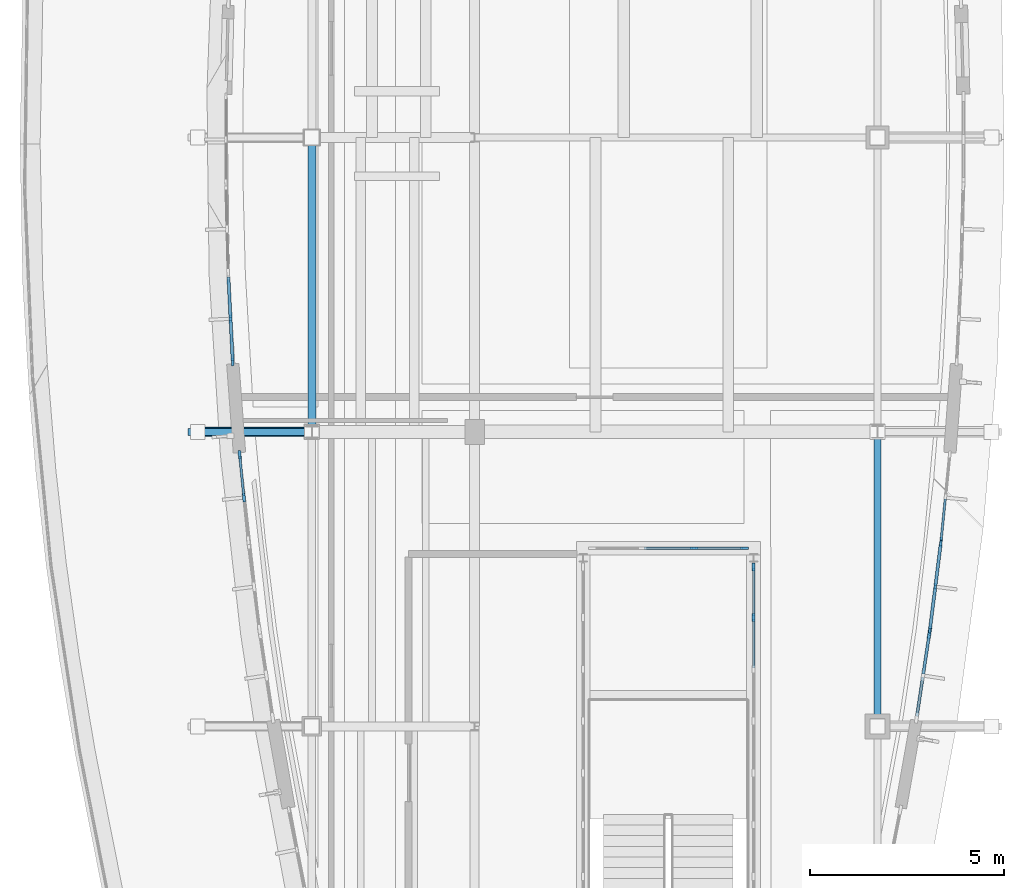
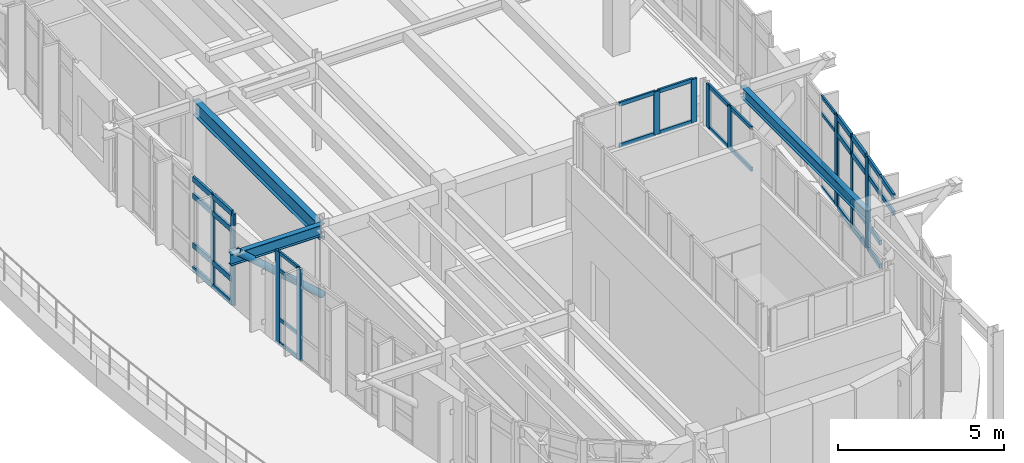
# One storey, part 6 of 20: 52 members, 3 beams, 7 elements without a shape of their own.
"""IFC4 building model written with IfcOpenShell, lengths in metres."""

from ifc_helpers import new_model, si_unit, direction, frame, origin, origin_2d, place, context, subcontext, project, spatial, rectangle, hollow_circle, i_section, extrude, material, material_profile, profile_set, type_object, element, aggregate, save


model = new_model("IFC4")

# Units and contexts
model_context = context("Model", 3, precision=1e-05, world=origin(), true_north=direction((0.0, 1.0)))
body_context = subcontext(model_context, "Body", "Model", "MODEL_VIEW")
ifc_project = project(units=[si_unit("LENGTHUNIT", "METRE"), si_unit("AREAUNIT", "SQUARE_METRE"), si_unit("VOLUMEUNIT", "CUBIC_METRE"), si_unit("PLANEANGLEUNIT", "RADIAN"), si_unit("MASSUNIT", "GRAM", prefix="KILO")], contexts=[model_context])

# Site, building, storey
site_placement = place(None, origin())
site = spatial("IfcSite", under=ifc_project, at=site_placement, CompositionType="ELEMENT")
building_placement = place(site_placement, origin())
building = spatial("IfcBuilding", under=site, at=building_placement, Name="Corveleigh Park Community Centre", CompositionType="ELEMENT")
storey_placement = place(building_placement, frame((0.0, 0.0, 19.800048828125)))
storey = spatial("IfcBuildingStorey", under=building, at=storey_placement, Name="L05", CompositionType="ELEMENT", Elevation=19.800048828125)

# Beams
ifc_material_1 = material(Name="Steel S355", Category="steel")
ifc_material_profile_1 = material_profile(ifc_material_1, i_section(OverallWidth=0.1787109375, OverallDepth=0.409423828125, WebThickness=0.0087890625, FlangeThickness=0.014404296875, at=origin_2d()), Name="UKB 406x178x67", Category="steel")
ifc_profile_set_1 = profile_set([ifc_material_profile_1], Name="Steel S355")
beam_type_1 = type_object("IfcBeamType", Name="BM-STL-UKB406x67", PredefinedType="BEAM", material=ifc_profile_set_1)
beam_1_placement = place(storey_placement, frame((168.39990234375, 66.205078125, 3.107177734375), z_axis=(0.0, 1.0, 0.0), x_axis=(-1.0, 0.0, 0.0)))
element("IfcBeam", 1, at=beam_1_placement, inside=storey, type_object=beam_type_1, Name="V4 Girder Y", PredefinedType="BEAM", context=body_context, shape_type="SweptSolid", body=[
    extrude(i_section(OverallWidth=0.1787109375, OverallDepth=0.409423828125, WebThickness=0.0087890625, FlangeThickness=0.014404296875, at=origin_2d()), origin(), (0.0, 0.0, 1.0), 7.58984375),
])
beam_2_placement = place(storey_placement, frame((153.7900390625, 73.800048828125, 3.1591796875), z_axis=(-1.0, 0.0, 0.0), x_axis=(0.0, -1.0, 0.0)))
element("IfcBeam", 2, at=beam_2_placement, inside=storey, type_object=beam_type_1, Name="V4 Crown Overhang Strut X5Y2 Outrigger", PredefinedType="BEAM", context=body_context, shape_type="SweptSolid", body=[
    extrude(i_section(OverallWidth=0.1787109375, OverallDepth=0.409423828125, WebThickness=0.0087890625, FlangeThickness=0.014404296875, at=origin_2d()), origin(), (0.0, 0.0, 1.0), 3.18994140625),
])
ifc_material_profile_2 = material_profile(ifc_material_1, i_section(OverallWidth=0.209228515625, OverallDepth=0.533203125, WebThickness=0.010009765625, FlangeThickness=0.015625, at=origin_2d()), Name="UKB 533x210x92", Category="steel")
ifc_profile_set_2 = profile_set([ifc_material_profile_2], Name="Steel S355")
beam_type_2 = type_object("IfcBeamType", Name="BM-STL-UKB533x92", PredefinedType="BEAM", material=ifc_profile_set_2)
beam_3_placement = place(storey_placement, frame((153.800048828125, 73.804931640625, 3.04541015625), z_axis=(0.0, 1.0, 0.0), x_axis=(-1.0, 0.0, 0.0)))
element("IfcBeam", 3, at=beam_3_placement, inside=storey, type_object=beam_type_2, Name="V4 Girder Y", PredefinedType="BEAM", context=body_context, shape_type="SweptSolid", body=[
    extrude(i_section(OverallWidth=0.209228515625, OverallDepth=0.533203125, WebThickness=0.010009765625, FlangeThickness=0.015625, at=origin_2d()), origin(), (0.0, 0.0, 1.0), 7.590087890625),
])

# Curtain wall, members
ifc_material_2 = material(Name="Anodised aluminium 6063-T6", Category="aluminium")
curtain_wall_type = type_object("IfcCurtainWallType", Name="CW-SYS-V4-L03", PredefinedType="NOTDEFINED", material=ifc_material_2)
curtain_wall_1_placement = place(storey_placement, origin())
curtain_wall_1 = element("IfcCurtainWall", 4, at=curtain_wall_1_placement, inside=storey, type_object=curtain_wall_type, Name="V4 L05 Curtain Wall 475", PredefinedType="NOTDEFINED")
ifc_material_profile_3 = material_profile(ifc_material_2, rectangle(XDim=0.06005859375, YDim=0.159912109375, at=origin_2d()), Name="ALU-M60x160", Category="aluminium")
ifc_profile_set_3 = profile_set([ifc_material_profile_3], Name="Anodised aluminium 6063-T6")
member_type_1 = type_object("IfcMemberType", Name="CWM-60x160", PredefinedType="MULLION", material=ifc_profile_set_3)
member_1_placement = place(storey_placement, frame((170.0322265625, 70.915283203125, 0.0), z_axis=(0.0, 0.0, 1.0), x_axis=(0.992170389776, -0.124891623628, 0.0)))
member_1 = element("IfcMember", 5, at=member_1_placement, type_object=member_type_1, Name="CW09 mullion 1", PredefinedType="MULLION", context=body_context, shape_type="SweptSolid", body=[
    extrude(rectangle(XDim=0.06005859375, YDim=0.159912109375, at=origin_2d()), origin(), (0.0, 0.0, 1.0), 3.364013671875),
])
member_2_placement = place(storey_placement, frame((169.892578125, 69.804931640625, 0.0), z_axis=(0.0, 0.0, 1.0), x_axis=(0.992170389776, -0.124891623628, 0.0)))
member_2 = element("IfcMember", 6, at=member_2_placement, type_object=member_type_1, Name="CW09 mullion 2", PredefinedType="MULLION", context=body_context, shape_type="SweptSolid", body=[
    extrude(rectangle(XDim=0.06005859375, YDim=0.159912109375, at=origin_2d()), origin(), (0.0, 0.0, 1.0), 3.364013671875),
])
member_3_placement = place(storey_placement, frame((169.752685546875, 68.69482421875, 0.0), z_axis=(0.0, 0.0, 1.0), x_axis=(0.992170389776, -0.124891623628, 0.0)))
member_3 = element("IfcMember", 7, at=member_3_placement, type_object=member_type_1, Name="CW09 mullion 3", PredefinedType="MULLION", context=body_context, shape_type="SweptSolid", body=[
    extrude(rectangle(XDim=0.06005859375, YDim=0.159912109375, at=origin_2d()), origin(), (0.0, 0.0, 1.0), 3.364013671875),
])

# Curtain wall, member
curtain_wall_2_placement = place(storey_placement, origin())
curtain_wall_2 = element("IfcCurtainWall", 8, at=curtain_wall_2_placement, inside=storey, type_object=curtain_wall_type, Name="V4 L05 Curtain Wall 476", PredefinedType="NOTDEFINED")
ifc_material_profile_4 = material_profile(ifc_material_2, rectangle(XDim=0.06494140625, YDim=0.179931640625, at=origin_2d()), Name="ALU-M65x180", Category="aluminium")
ifc_profile_set_4 = profile_set([ifc_material_profile_4], Name="Anodised aluminium 6063-T6")
member_type_2 = type_object("IfcMemberType", Name="CWM-65x180", PredefinedType="MULLION", material=ifc_profile_set_4)
member_4_placement = place(storey_placement, frame((170.041259765625, 70.995361328125, 0.0), z_axis=(0.0, 0.0, 1.0), x_axis=(0.995015609659, -0.099719288676, 0.0)))
member_4 = element("IfcMember", 9, at=member_4_placement, type_object=member_type_2, Name="CW09 mullion 3", PredefinedType="MULLION", context=body_context, shape_type="SweptSolid", body=[
    extrude(rectangle(XDim=0.06494140625, YDim=0.179931640625, at=origin_2d()), origin(), (0.0, 0.0, 1.0), 3.364013671875),
])

# Curtain wall, members
curtain_wall_3_placement = place(storey_placement, origin())
curtain_wall_3 = element("IfcCurtainWall", 10, at=curtain_wall_3_placement, inside=storey, type_object=curtain_wall_type, Name="V4 L05 Curtain Wall 495", PredefinedType="NOTDEFINED")
ifc_material_profile_5 = material_profile(ifc_material_2, rectangle(XDim=0.070068359375, YDim=0.199951171875, at=origin_2d()), Name="ALU-M70x200", Category="aluminium")
ifc_profile_set_5 = profile_set([ifc_material_profile_5], Name="Anodised aluminium 6063-T6")
member_type_3 = type_object("IfcMemberType", Name="CWM-70x200", PredefinedType="MULLION", material=ifc_profile_set_5)
member_5_placement = place(storey_placement, frame((151.75732421875, 75.60888671875, 0.0), z_axis=(0.0, 0.0, 1.0), x_axis=(-0.998725060912, -0.050480220936, 0.0)))
member_5 = element("IfcMember", 11, at=member_5_placement, type_object=member_type_3, Name="CW09 mullion 1", PredefinedType="MULLION", context=body_context, shape_type="SweptSolid", body=[
    extrude(rectangle(XDim=0.070068359375, YDim=0.199951171875, at=origin_2d()), origin(), (0.0, 0.0, 1.0), 3.364013671875),
])
member_6_placement = place(storey_placement, frame((151.700927734375, 76.721435546875, 0.0), z_axis=(0.0, 0.0, 1.0), x_axis=(-0.998725060912, -0.050480220936, 0.0)))
member_6 = element("IfcMember", 12, at=member_6_placement, type_object=member_type_3, Name="CW09 mullion 2", PredefinedType="MULLION", context=body_context, shape_type="SweptSolid", body=[
    extrude(rectangle(XDim=0.070068359375, YDim=0.199951171875, at=origin_2d()), origin(), (0.0, 0.0, 1.0), 3.364013671875),
])

curtain_wall_4_placement = place(storey_placement, origin())
curtain_wall_4 = element("IfcCurtainWall", 13, at=curtain_wall_4_placement, inside=storey, type_object=curtain_wall_type, Name="Crown Lantern N Clerestory", PredefinedType="NOTDEFINED")
member_7_placement = place(storey_placement, frame((164.965087890625, 70.800048828125, 5.0), z_axis=(0.0, 0.0, 1.0), x_axis=(0.0, -1.0, 0.0)))
member_7 = element("IfcMember", 14, at=member_7_placement, type_object=member_type_3, Name="CW09 mullion 1", PredefinedType="MULLION", context=body_context, shape_type="SweptSolid", body=[
    extrude(rectangle(XDim=0.070068359375, YDim=0.199951171875, at=origin_2d()), origin(), (0.0, 0.0, 1.0), 1.579833984375),
])
member_8_placement = place(storey_placement, frame((163.666748046875, 70.800048828125, 5.0), z_axis=(0.0, 0.0, 1.0), x_axis=(0.0, -1.0, 0.0)))
member_8 = element("IfcMember", 15, at=member_8_placement, type_object=member_type_3, Name="CW09 mullion 2", PredefinedType="MULLION", context=body_context, shape_type="SweptSolid", body=[
    extrude(rectangle(XDim=0.070068359375, YDim=0.199951171875, at=origin_2d()), origin(), (0.0, 0.0, 1.0), 1.579833984375),
])

curtain_wall_5_placement = place(storey_placement, origin())
curtain_wall_5 = element("IfcCurtainWall", 16, at=curtain_wall_5_placement, inside=storey, type_object=curtain_wall_type, Name="Crown Lantern E Clerestory", PredefinedType="NOTDEFINED")
member_9_placement = place(storey_placement, frame((165.199951171875, 69.012451171875, 5.0), z_axis=(0.0, 0.0, 1.0), x_axis=(-1.0, 0.0, 0.0)))
member_9 = element("IfcMember", 17, at=member_9_placement, type_object=member_type_3, Name="CW09 mullion 8", PredefinedType="MULLION", context=body_context, shape_type="SweptSolid", body=[
    extrude(rectangle(XDim=0.070068359375, YDim=0.199951171875, at=origin_2d()), origin(), (0.0, 0.0, 1.0), 1.579833984375),
])
member_10_placement = place(storey_placement, frame((165.199951171875, 70.31494140625, 5.0), z_axis=(0.0, 0.0, 1.0), x_axis=(-1.0, 0.0, 0.0)))
member_10 = element("IfcMember", 18, at=member_10_placement, type_object=member_type_3, Name="CW09 mullion 9", PredefinedType="MULLION", context=body_context, shape_type="SweptSolid", body=[
    extrude(rectangle(XDim=0.070068359375, YDim=0.199951171875, at=origin_2d()), origin(), (0.0, 0.0, 1.0), 1.579833984375),
])

curtain_wall_6_placement = place(storey_placement, origin())
curtain_wall_6 = element("IfcCurtainWall", 19, at=curtain_wall_6_placement, inside=storey, type_object=curtain_wall_type, Name="V4 L05 Curtain Wall 496", PredefinedType="NOTDEFINED")
ifc_material_profile_6 = material_profile(ifc_material_2, rectangle(XDim=0.074951171875, YDim=0.219970703125, at=origin_2d()), Name="ALU-M75x220", Category="aluminium")
ifc_profile_set_6 = profile_set([ifc_material_profile_6], Name="Anodised aluminium 6063-T6")
member_type_4 = type_object("IfcMemberType", Name="CWM-75x220", PredefinedType="MULLION", material=ifc_profile_set_6)
member_11_placement = place(storey_placement, frame((152.047607421875, 72.10546875, 0.0), z_axis=(0.0, 0.0, 1.0), x_axis=(-0.995015609659, -0.099719288676, 0.0)))
member_11 = element("IfcMember", 20, at=member_11_placement, type_object=member_type_4, Name="CW09 mullion 2", PredefinedType="MULLION", context=body_context, shape_type="SweptSolid", body=[
    extrude(rectangle(XDim=0.074951171875, YDim=0.219970703125, at=origin_2d()), origin(), (0.0, 0.0, 1.0), 3.364013671875),
])
member_12_placement = place(storey_placement, frame((151.936767578125, 73.210693359375, 0.0), z_axis=(0.0, 0.0, 1.0), x_axis=(-0.995015609659, -0.099719288676, 0.0)))
member_12 = element("IfcMember", 21, at=member_12_placement, type_object=member_type_4, Name="CW09 mullion 3", PredefinedType="MULLION", context=body_context, shape_type="SweptSolid", body=[
    extrude(rectangle(XDim=0.074951171875, YDim=0.219970703125, at=origin_2d()), origin(), (0.0, 0.0, 1.0), 3.364013671875),
])

# Curtain wall, member
curtain_wall_7_placement = place(storey_placement, origin())
curtain_wall_7 = element("IfcCurtainWall", 22, at=curtain_wall_7_placement, inside=storey, type_object=curtain_wall_type, Name="V4 L05 Curtain Wall 474", PredefinedType="NOTDEFINED")
ifc_material_profile_7 = material_profile(ifc_material_2, rectangle(XDim=0.0849609375, YDim=0.27490234375, at=origin_2d()), Name="ALU-M85x275", Category="aluminium")
ifc_profile_set_7 = profile_set([ifc_material_profile_7], Name="Anodised aluminium 6063-T6")
member_type_5 = type_object("IfcMemberType", Name="CWM-85x275", PredefinedType="MULLION", material=ifc_profile_set_7)
member_13_placement = place(storey_placement, frame((169.74072265625, 68.60693359375, 0.0), z_axis=(0.0, 0.0, 1.0), x_axis=(0.988795450812, -0.149276778011, 0.0)))
member_13 = element("IfcMember", 23, at=member_13_placement, type_object=member_type_5, Name="CW09 mullion 1", PredefinedType="MULLION", context=body_context, shape_type="SweptSolid", body=[
    extrude(rectangle(XDim=0.0849609375, YDim=0.27490234375, at=origin_2d()), origin(), (0.0, 0.0, 1.0), 3.364013671875),
])

# Member
ifc_material_profile_8 = material_profile(ifc_material_2, rectangle(XDim=0.06005859375, YDim=0.1201171875, at=origin_2d()), Name="ALU-T60x120", Category="aluminium")
ifc_profile_set_8 = profile_set([ifc_material_profile_8], Name="Anodised aluminium 6063-T6")
member_type_6 = type_object("IfcMemberType", Name="CWT-60x120", PredefinedType="USERDEFINED", material=ifc_profile_set_8)
member_14_placement = place(storey_placement, frame((170.149169921875, 72.0732421875, 0.030029296875), z_axis=(-0.099664730692, -0.995021075885, 0.0), x_axis=(0.995021075885, -0.099664730692, 0.0)))
member_14 = element("IfcMember", 24, at=member_14_placement, type_object=member_type_6, Name="CW09 transom 2.1", ObjectType="TRANSOM", PredefinedType="USERDEFINED", context=body_context, shape_type="SweptSolid", body=[
    extrude(rectangle(XDim=0.06005859375, YDim=0.1201171875, at=origin_2d()), origin(), (0.0, 0.0, 1.0), 1.05078125),
])

member_15_placement = place(storey_placement, frame((170.149169921875, 72.0732421875, 0.89990234375), z_axis=(-0.099664730692, -0.995021075885, 0.0), x_axis=(0.995021075885, -0.099664730692, 0.0)))
member_15 = element("IfcMember", 25, at=member_15_placement, type_object=member_type_6, Name="CW09 transom 2.2", ObjectType="TRANSOM", PredefinedType="USERDEFINED", context=body_context, shape_type="SweptSolid", body=[
    extrude(rectangle(XDim=0.06005859375, YDim=0.1201171875, at=origin_2d()), origin(), (0.0, 0.0, 1.0), 1.05078125),
])

member_16_placement = place(storey_placement, frame((170.149169921875, 72.0732421875, 2.7138671875), z_axis=(-0.099664730692, -0.995021075885, 0.0), x_axis=(0.995021075885, -0.099664730692, 0.0)))
member_16 = element("IfcMember", 26, at=member_16_placement, type_object=member_type_6, Name="CW09 transom 2.3", ObjectType="TRANSOM", PredefinedType="USERDEFINED", context=body_context, shape_type="SweptSolid", body=[
    extrude(rectangle(XDim=0.06005859375, YDim=0.1201171875, at=origin_2d()), origin(), (0.0, 0.0, 1.0), 1.05078125),
])

member_17_placement = place(storey_placement, frame((170.149169921875, 72.0732421875, 3.333984375), z_axis=(-0.099664730692, -0.995021075885, 0.0), x_axis=(0.995021075885, -0.099664730692, 0.0)))
member_17 = element("IfcMember", 27, at=member_17_placement, type_object=member_type_6, Name="CW09 transom 2.4", ObjectType="TRANSOM", PredefinedType="USERDEFINED", context=body_context, shape_type="SweptSolid", body=[
    extrude(rectangle(XDim=0.06005859375, YDim=0.1201171875, at=origin_2d()), origin(), (0.0, 0.0, 1.0), 1.05078125),
])

aggregate(curtain_wall_2, [member_4, member_14, member_15, member_16, member_17])

member_18_placement = place(storey_placement, frame((152.043701171875, 72.142822265625, 0.030029296875), z_axis=(-0.099713773204, 0.995016162398, 0.0), x_axis=(-0.995016162398, -0.099713773204, 0.0)))
member_18 = element("IfcMember", 28, at=member_18_placement, type_object=member_type_6, Name="CW09 transom 2.1", ObjectType="TRANSOM", PredefinedType="USERDEFINED", context=body_context, shape_type="SweptSolid", body=[
    extrude(rectangle(XDim=0.06005859375, YDim=0.1201171875, at=origin_2d()), origin(), (0.0, 0.0, 1.0), 1.03564453125),
])

member_19_placement = place(storey_placement, frame((152.043701171875, 72.142822265625, 0.89990234375), z_axis=(-0.099713773204, 0.995016162398, 0.0), x_axis=(-0.995016162398, -0.099713773204, 0.0)))
member_19 = element("IfcMember", 29, at=member_19_placement, type_object=member_type_6, Name="CW09 transom 2.2", ObjectType="TRANSOM", PredefinedType="USERDEFINED", context=body_context, shape_type="SweptSolid", body=[
    extrude(rectangle(XDim=0.06005859375, YDim=0.1201171875, at=origin_2d()), origin(), (0.0, 0.0, 1.0), 1.03564453125),
])

member_20_placement = place(storey_placement, frame((152.043701171875, 72.142822265625, 2.7138671875), z_axis=(-0.099713773204, 0.995016162398, 0.0), x_axis=(-0.995016162398, -0.099713773204, 0.0)))
member_20 = element("IfcMember", 30, at=member_20_placement, type_object=member_type_6, Name="CW09 transom 2.3", ObjectType="TRANSOM", PredefinedType="USERDEFINED", context=body_context, shape_type="SweptSolid", body=[
    extrude(rectangle(XDim=0.06005859375, YDim=0.1201171875, at=origin_2d()), origin(), (0.0, 0.0, 1.0), 1.03564453125),
])

member_21_placement = place(storey_placement, frame((152.043701171875, 72.142822265625, 3.333984375), z_axis=(-0.099713773204, 0.995016162398, 0.0), x_axis=(-0.995016162398, -0.099713773204, 0.0)))
member_21 = element("IfcMember", 31, at=member_21_placement, type_object=member_type_6, Name="CW09 transom 2.4", ObjectType="TRANSOM", PredefinedType="USERDEFINED", context=body_context, shape_type="SweptSolid", body=[
    extrude(rectangle(XDim=0.06005859375, YDim=0.1201171875, at=origin_2d()), origin(), (0.0, 0.0, 1.0), 1.03564453125),
])

aggregate(curtain_wall_6, [member_11, member_12, member_18, member_19, member_20, member_21])

ifc_material_profile_9 = material_profile(ifc_material_2, rectangle(XDim=0.06494140625, YDim=0.139892578125, at=origin_2d()), Name="ALU-T65x140", Category="aluminium")
ifc_profile_set_9 = profile_set([ifc_material_profile_9], Name="Anodised aluminium 6063-T6")
member_type_7 = type_object("IfcMemberType", Name="CWT-65x140", PredefinedType="USERDEFINED", material=ifc_profile_set_9)
member_22_placement = place(storey_placement, frame((164.929931640625, 70.800048828125, 5.032470703125), z_axis=(-1.0, 0.0, 0.0), x_axis=(0.0, -1.0, 0.0)))
member_22 = element("IfcMember", 32, at=member_22_placement, type_object=member_type_7, Name="CW09 transom 1.1", ObjectType="TRANSOM", PredefinedType="USERDEFINED", context=body_context, shape_type="SweptSolid", body=[
    extrude(rectangle(XDim=0.06494140625, YDim=0.139892578125, at=origin_2d()), origin(), (0.0, 0.0, 1.0), 1.228271484375),
])

member_23_placement = place(storey_placement, frame((164.929931640625, 70.800048828125, 6.54736328125), z_axis=(-1.0, 0.0, 0.0), x_axis=(0.0, -1.0, 0.0)))
member_23 = element("IfcMember", 33, at=member_23_placement, type_object=member_type_7, Name="CW09 transom 1.2", ObjectType="TRANSOM", PredefinedType="USERDEFINED", context=body_context, shape_type="SweptSolid", body=[
    extrude(rectangle(XDim=0.06494140625, YDim=0.139892578125, at=origin_2d()), origin(), (0.0, 0.0, 1.0), 1.228271484375),
])

member_24_placement = place(storey_placement, frame((163.631591796875, 70.800048828125, 5.032470703125), z_axis=(-1.0, 0.0, 0.0), x_axis=(0.0, -1.0, 0.0)))
member_24 = element("IfcMember", 34, at=member_24_placement, type_object=member_type_7, Name="CW09 transom 2.1", ObjectType="TRANSOM", PredefinedType="USERDEFINED", context=body_context, shape_type="SweptSolid", body=[
    extrude(rectangle(XDim=0.06494140625, YDim=0.139892578125, at=origin_2d()), origin(), (0.0, 0.0, 1.0), 1.26318359375),
])

member_25_placement = place(storey_placement, frame((163.631591796875, 70.800048828125, 6.54736328125), z_axis=(-1.0, 0.0, 0.0), x_axis=(0.0, -1.0, 0.0)))
member_25 = element("IfcMember", 35, at=member_25_placement, type_object=member_type_7, Name="CW09 transom 2.2", ObjectType="TRANSOM", PredefinedType="USERDEFINED", context=body_context, shape_type="SweptSolid", body=[
    extrude(rectangle(XDim=0.06494140625, YDim=0.139892578125, at=origin_2d()), origin(), (0.0, 0.0, 1.0), 1.26318359375),
])

aggregate(curtain_wall_4, [member_7, member_8, member_22, member_23, member_24, member_25])

member_26_placement = place(storey_placement, frame((165.199951171875, 67.7099609375, 5.032470703125), z_axis=(0.0, 1.0, 0.0), x_axis=(-1.0, 0.0, 0.0)))
member_26 = element("IfcMember", 36, at=member_26_placement, type_object=member_type_7, Name="CW09 transom 7.1", ObjectType="TRANSOM", PredefinedType="USERDEFINED", context=body_context, shape_type="SweptSolid", body=[
    extrude(rectangle(XDim=0.06494140625, YDim=0.139892578125, at=origin_2d()), origin(), (0.0, 0.0, 1.0), 1.267578125),
])

member_27_placement = place(storey_placement, frame((165.199951171875, 67.7099609375, 6.54736328125), z_axis=(0.0, 1.0, 0.0), x_axis=(-1.0, 0.0, 0.0)))
member_27 = element("IfcMember", 37, at=member_27_placement, type_object=member_type_7, Name="CW09 transom 7.2", ObjectType="TRANSOM", PredefinedType="USERDEFINED", context=body_context, shape_type="SweptSolid", body=[
    extrude(rectangle(XDim=0.06494140625, YDim=0.139892578125, at=origin_2d()), origin(), (0.0, 0.0, 1.0), 1.267578125),
])

member_28_placement = place(storey_placement, frame((165.199951171875, 69.047607421875, 5.032470703125), z_axis=(0.0, 1.0, 0.0), x_axis=(-1.0, 0.0, 0.0)))
member_28 = element("IfcMember", 38, at=member_28_placement, type_object=member_type_7, Name="CW09 transom 8.1", ObjectType="TRANSOM", PredefinedType="USERDEFINED", context=body_context, shape_type="SweptSolid", body=[
    extrude(rectangle(XDim=0.06494140625, YDim=0.139892578125, at=origin_2d()), origin(), (0.0, 0.0, 1.0), 1.232421875),
])

member_29_placement = place(storey_placement, frame((165.199951171875, 69.047607421875, 6.54736328125), z_axis=(0.0, 1.0, 0.0), x_axis=(-1.0, 0.0, 0.0)))
member_29 = element("IfcMember", 39, at=member_29_placement, type_object=member_type_7, Name="CW09 transom 8.2", ObjectType="TRANSOM", PredefinedType="USERDEFINED", context=body_context, shape_type="SweptSolid", body=[
    extrude(rectangle(XDim=0.06494140625, YDim=0.139892578125, at=origin_2d()), origin(), (0.0, 0.0, 1.0), 1.232421875),
])

aggregate(curtain_wall_5, [member_9, member_10, member_26, member_27, member_28, member_29])

ifc_material_profile_10 = material_profile(ifc_material_2, rectangle(XDim=0.074951171875, YDim=0.175048828125, at=origin_2d()), Name="ALU-T75x175", Category="aluminium")
ifc_profile_set_10 = profile_set([ifc_material_profile_10], Name="Anodised aluminium 6063-T6")
member_type_8 = type_object("IfcMemberType", Name="CWT-75x175", PredefinedType="USERDEFINED", material=ifc_profile_set_10)
member_30_placement = place(storey_placement, frame((169.734375, 68.56494140625, 0.037353515625), z_axis=(-0.149380556263, -0.988779778015, 0.0), x_axis=(0.988779778015, -0.149380556263, 0.0)))
member_30 = element("IfcMember", 40, at=member_30_placement, type_object=member_type_8, Name="CW09 transom 1.1", ObjectType="TRANSOM", PredefinedType="USERDEFINED", context=body_context, shape_type="SweptSolid", body=[
    extrude(rectangle(XDim=0.074951171875, YDim=0.175048828125, at=origin_2d()), origin(), (0.0, 0.0, 1.0), 1.021484375),
])

member_31_placement = place(storey_placement, frame((169.734375, 68.56494140625, 0.89990234375), z_axis=(-0.149380556263, -0.988779778015, 0.0), x_axis=(0.988779778015, -0.149380556263, 0.0)))
member_31 = element("IfcMember", 41, at=member_31_placement, type_object=member_type_8, Name="CW09 transom 1.2", ObjectType="TRANSOM", PredefinedType="USERDEFINED", context=body_context, shape_type="SweptSolid", body=[
    extrude(rectangle(XDim=0.074951171875, YDim=0.175048828125, at=origin_2d()), origin(), (0.0, 0.0, 1.0), 1.021484375),
])

member_32_placement = place(storey_placement, frame((169.734375, 68.56494140625, 2.7138671875), z_axis=(-0.149380556263, -0.988779778015, 0.0), x_axis=(0.988779778015, -0.149380556263, 0.0)))
member_32 = element("IfcMember", 42, at=member_32_placement, type_object=member_type_8, Name="CW09 transom 1.3", ObjectType="TRANSOM", PredefinedType="USERDEFINED", context=body_context, shape_type="SweptSolid", body=[
    extrude(rectangle(XDim=0.074951171875, YDim=0.175048828125, at=origin_2d()), origin(), (0.0, 0.0, 1.0), 1.021484375),
])

member_33_placement = place(storey_placement, frame((169.734375, 68.56494140625, 3.326416015625), z_axis=(-0.149380556263, -0.988779778015, 0.0), x_axis=(0.988779778015, -0.149380556263, 0.0)))
member_33 = element("IfcMember", 43, at=member_33_placement, type_object=member_type_8, Name="CW09 transom 1.4", ObjectType="TRANSOM", PredefinedType="USERDEFINED", context=body_context, shape_type="SweptSolid", body=[
    extrude(rectangle(XDim=0.074951171875, YDim=0.175048828125, at=origin_2d()), origin(), (0.0, 0.0, 1.0), 1.021484375),
])

member_34_placement = place(storey_placement, frame((169.569091796875, 67.470947265625, 2.7138671875), z_axis=(-0.14914686824, -0.988815054342, 0.0), x_axis=(0.988815054342, -0.14914686824, 0.0)))
member_34 = element("IfcMember", 44, at=member_34_placement, type_object=member_type_8, Name="CW09 transom 2.3", ObjectType="TRANSOM", PredefinedType="USERDEFINED", context=body_context, shape_type="SweptSolid", body=[
    extrude(rectangle(XDim=0.074951171875, YDim=0.175048828125, at=origin_2d()), origin(), (0.0, 0.0, 1.0), 1.021484375),
])

member_35_placement = place(storey_placement, frame((169.569091796875, 67.470947265625, 3.326416015625), z_axis=(-0.14914686824, -0.988815054342, 0.0), x_axis=(0.988815054342, -0.14914686824, 0.0)))
member_35 = element("IfcMember", 45, at=member_35_placement, type_object=member_type_8, Name="CW09 transom 2.4", ObjectType="TRANSOM", PredefinedType="USERDEFINED", context=body_context, shape_type="SweptSolid", body=[
    extrude(rectangle(XDim=0.074951171875, YDim=0.175048828125, at=origin_2d()), origin(), (0.0, 0.0, 1.0), 1.021484375),
])

aggregate(curtain_wall_7, [member_13, member_30, member_31, member_32, member_33, member_34, member_35])

ifc_material_profile_11 = material_profile(ifc_material_2, rectangle(XDim=0.080078125, YDim=0.195068359375, at=origin_2d()), Name="ALU-T80x195", Category="aluminium")
ifc_profile_set_11 = profile_set([ifc_material_profile_11], Name="Anodised aluminium 6063-T6")
member_type_9 = type_object("IfcMemberType", Name="CWT-80x195", PredefinedType="USERDEFINED", material=ifc_profile_set_11)
member_36_placement = place(storey_placement, frame((170.028564453125, 70.885498046875, 0.0400390625), z_axis=(-0.124942582218, -0.992163973922, 0.0), x_axis=(0.992163973922, -0.124942582218, 0.0)))
member_36 = element("IfcMember", 46, at=member_36_placement, type_object=member_type_9, Name="CW09 transom 1.1", ObjectType="TRANSOM", PredefinedType="USERDEFINED", context=body_context, shape_type="SweptSolid", body=[
    extrude(rectangle(XDim=0.080078125, YDim=0.195068359375, at=origin_2d()), origin(), (0.0, 0.0, 1.0), 1.05908203125),
])

member_37_placement = place(storey_placement, frame((170.028564453125, 70.885498046875, 0.89990234375), z_axis=(-0.124942582218, -0.992163973922, 0.0), x_axis=(0.992163973922, -0.124942582218, 0.0)))
member_37 = element("IfcMember", 47, at=member_37_placement, type_object=member_type_9, Name="CW09 transom 1.2", ObjectType="TRANSOM", PredefinedType="USERDEFINED", context=body_context, shape_type="SweptSolid", body=[
    extrude(rectangle(XDim=0.080078125, YDim=0.195068359375, at=origin_2d()), origin(), (0.0, 0.0, 1.0), 1.05908203125),
])

member_38_placement = place(storey_placement, frame((170.028564453125, 70.885498046875, 2.7138671875), z_axis=(-0.124942582218, -0.992163973922, 0.0), x_axis=(0.992163973922, -0.124942582218, 0.0)))
member_38 = element("IfcMember", 48, at=member_38_placement, type_object=member_type_9, Name="CW09 transom 1.3", ObjectType="TRANSOM", PredefinedType="USERDEFINED", context=body_context, shape_type="SweptSolid", body=[
    extrude(rectangle(XDim=0.080078125, YDim=0.195068359375, at=origin_2d()), origin(), (0.0, 0.0, 1.0), 1.05908203125),
])

member_39_placement = place(storey_placement, frame((170.028564453125, 70.885498046875, 3.323974609375), z_axis=(-0.124942582218, -0.992163973922, 0.0), x_axis=(0.992163973922, -0.124942582218, 0.0)))
member_39 = element("IfcMember", 49, at=member_39_placement, type_object=member_type_9, Name="CW09 transom 1.4", ObjectType="TRANSOM", PredefinedType="USERDEFINED", context=body_context, shape_type="SweptSolid", body=[
    extrude(rectangle(XDim=0.080078125, YDim=0.195068359375, at=origin_2d()), origin(), (0.0, 0.0, 1.0), 1.05908203125),
])

member_40_placement = place(storey_placement, frame((169.888671875, 69.775146484375, 0.0400390625), z_axis=(-0.124744182094, -0.992188938173, 0.0), x_axis=(0.992188938173, -0.124744182094, 0.0)))
member_40 = element("IfcMember", 50, at=member_40_placement, type_object=member_type_9, Name="CW09 transom 2.1", ObjectType="TRANSOM", PredefinedType="USERDEFINED", context=body_context, shape_type="SweptSolid", body=[
    extrude(rectangle(XDim=0.080078125, YDim=0.195068359375, at=origin_2d()), origin(), (0.0, 0.0, 1.0), 1.058837890625),
])

member_41_placement = place(storey_placement, frame((169.888671875, 69.775146484375, 0.89990234375), z_axis=(-0.124744182094, -0.992188938173, 0.0), x_axis=(0.992188938173, -0.124744182094, 0.0)))
member_41 = element("IfcMember", 51, at=member_41_placement, type_object=member_type_9, Name="CW09 transom 2.2", ObjectType="TRANSOM", PredefinedType="USERDEFINED", context=body_context, shape_type="SweptSolid", body=[
    extrude(rectangle(XDim=0.080078125, YDim=0.195068359375, at=origin_2d()), origin(), (0.0, 0.0, 1.0), 1.058837890625),
])

member_42_placement = place(storey_placement, frame((169.888671875, 69.775146484375, 2.7138671875), z_axis=(-0.124744182094, -0.992188938173, 0.0), x_axis=(0.992188938173, -0.124744182094, 0.0)))
member_42 = element("IfcMember", 52, at=member_42_placement, type_object=member_type_9, Name="CW09 transom 2.3", ObjectType="TRANSOM", PredefinedType="USERDEFINED", context=body_context, shape_type="SweptSolid", body=[
    extrude(rectangle(XDim=0.080078125, YDim=0.195068359375, at=origin_2d()), origin(), (0.0, 0.0, 1.0), 1.058837890625),
])

member_43_placement = place(storey_placement, frame((169.888671875, 69.775146484375, 3.323974609375), z_axis=(-0.124744182094, -0.992188938173, 0.0), x_axis=(0.992188938173, -0.124744182094, 0.0)))
member_43 = element("IfcMember", 53, at=member_43_placement, type_object=member_type_9, Name="CW09 transom 2.4", ObjectType="TRANSOM", PredefinedType="USERDEFINED", context=body_context, shape_type="SweptSolid", body=[
    extrude(rectangle(XDim=0.080078125, YDim=0.195068359375, at=origin_2d()), origin(), (0.0, 0.0, 1.0), 1.058837890625),
])

aggregate(curtain_wall_1, [member_1, member_2, member_3, member_36, member_37, member_38, member_39, member_40, member_41, member_42, member_43])

member_44_placement = place(storey_placement, frame((151.75537109375, 75.643798828125, 0.0400390625), z_axis=(-0.050275838126, 0.998735370406, 0.0), x_axis=(-0.998735370406, -0.050275838126, 0.0)))
member_44 = element("IfcMember", 54, at=member_44_placement, type_object=member_type_9, Name="CW09 transom 1.1", ObjectType="TRANSOM", PredefinedType="USERDEFINED", context=body_context, shape_type="SweptSolid", body=[
    extrude(rectangle(XDim=0.080078125, YDim=0.195068359375, at=origin_2d()), origin(), (0.0, 0.0, 1.0), 1.0439453125),
])

member_45_placement = place(storey_placement, frame((151.75537109375, 75.643798828125, 0.89990234375), z_axis=(-0.050275838126, 0.998735370406, 0.0), x_axis=(-0.998735370406, -0.050275838126, 0.0)))
member_45 = element("IfcMember", 55, at=member_45_placement, type_object=member_type_9, Name="CW09 transom 1.2", ObjectType="TRANSOM", PredefinedType="USERDEFINED", context=body_context, shape_type="SweptSolid", body=[
    extrude(rectangle(XDim=0.080078125, YDim=0.195068359375, at=origin_2d()), origin(), (0.0, 0.0, 1.0), 1.0439453125),
])

member_46_placement = place(storey_placement, frame((151.75537109375, 75.643798828125, 2.7138671875), z_axis=(-0.050275838126, 0.998735370406, 0.0), x_axis=(-0.998735370406, -0.050275838126, 0.0)))
member_46 = element("IfcMember", 56, at=member_46_placement, type_object=member_type_9, Name="CW09 transom 1.3", ObjectType="TRANSOM", PredefinedType="USERDEFINED", context=body_context, shape_type="SweptSolid", body=[
    extrude(rectangle(XDim=0.080078125, YDim=0.195068359375, at=origin_2d()), origin(), (0.0, 0.0, 1.0), 1.0439453125),
])

member_47_placement = place(storey_placement, frame((151.75537109375, 75.643798828125, 3.323974609375), z_axis=(-0.050275838126, 0.998735370406, 0.0), x_axis=(-0.998735370406, -0.050275838126, 0.0)))
member_47 = element("IfcMember", 57, at=member_47_placement, type_object=member_type_9, Name="CW09 transom 1.4", ObjectType="TRANSOM", PredefinedType="USERDEFINED", context=body_context, shape_type="SweptSolid", body=[
    extrude(rectangle(XDim=0.080078125, YDim=0.195068359375, at=origin_2d()), origin(), (0.0, 0.0, 1.0), 1.0439453125),
])

member_48_placement = place(storey_placement, frame((151.69921875, 76.75634765625, 0.0400390625), z_axis=(-0.050509084043, 0.998723601618, 0.0), x_axis=(-0.998723601618, -0.050509084043, 0.0)))
member_48 = element("IfcMember", 58, at=member_48_placement, type_object=member_type_9, Name="CW09 transom 2.1", ObjectType="TRANSOM", PredefinedType="USERDEFINED", context=body_context, shape_type="SweptSolid", body=[
    extrude(rectangle(XDim=0.080078125, YDim=0.195068359375, at=origin_2d()), origin(), (0.0, 0.0, 1.0), 1.0439453125),
])

member_49_placement = place(storey_placement, frame((151.69921875, 76.75634765625, 0.89990234375), z_axis=(-0.050509084043, 0.998723601618, 0.0), x_axis=(-0.998723601618, -0.050509084043, 0.0)))
member_49 = element("IfcMember", 59, at=member_49_placement, type_object=member_type_9, Name="CW09 transom 2.2", ObjectType="TRANSOM", PredefinedType="USERDEFINED", context=body_context, shape_type="SweptSolid", body=[
    extrude(rectangle(XDim=0.080078125, YDim=0.195068359375, at=origin_2d()), origin(), (0.0, 0.0, 1.0), 1.0439453125),
])

member_50_placement = place(storey_placement, frame((151.69921875, 76.75634765625, 2.7138671875), z_axis=(-0.050509084043, 0.998723601618, 0.0), x_axis=(-0.998723601618, -0.050509084043, 0.0)))
member_50 = element("IfcMember", 60, at=member_50_placement, type_object=member_type_9, Name="CW09 transom 2.3", ObjectType="TRANSOM", PredefinedType="USERDEFINED", context=body_context, shape_type="SweptSolid", body=[
    extrude(rectangle(XDim=0.080078125, YDim=0.195068359375, at=origin_2d()), origin(), (0.0, 0.0, 1.0), 1.0439453125),
])

member_51_placement = place(storey_placement, frame((151.69921875, 76.75634765625, 3.323974609375), z_axis=(-0.050509084043, 0.998723601618, 0.0), x_axis=(-0.998723601618, -0.050509084043, 0.0)))
member_51 = element("IfcMember", 61, at=member_51_placement, type_object=member_type_9, Name="CW09 transom 2.4", ObjectType="TRANSOM", PredefinedType="USERDEFINED", context=body_context, shape_type="SweptSolid", body=[
    extrude(rectangle(XDim=0.080078125, YDim=0.195068359375, at=origin_2d()), origin(), (0.0, 0.0, 1.0), 1.0439453125),
])

aggregate(curtain_wall_3, [member_5, member_6, member_44, member_45, member_46, member_47, member_48, member_49, member_50, member_51])

ifc_material_profile_12 = material_profile(ifc_material_1, hollow_circle(Radius=0.122314453125, WallThickness=0.012451171875, at=origin_2d()), Name="CHS 244.5x12.5", Category="steel")
ifc_profile_set_12 = profile_set([ifc_material_profile_12], Name="Steel S355")
member_type_10 = type_object("IfcMemberType", Name="MEM-STR-CHS245", PredefinedType="STRUT", material=ifc_profile_set_12)
member_52_placement = place(storey_placement, frame((153.800048828125, 73.800048828125, 0.75), z_axis=(-0.748675336061, 0.0, 0.662936830455), x_axis=(0.0, -1.0, 0.0)))
element("IfcMember", 62, at=member_52_placement, inside=storey, type_object=member_type_10, Name="V4 Crown Overhang Strut X5Y2", PredefinedType="STRUT", context=body_context, shape_type="SweptSolid", body=[
    extrude(hollow_circle(Radius=0.122314453125, WallThickness=0.012451171875, at=origin_2d()), origin(), (0.0, 0.0, 1.0), 3.932373046875),
])

save(model, "model.ifc")
